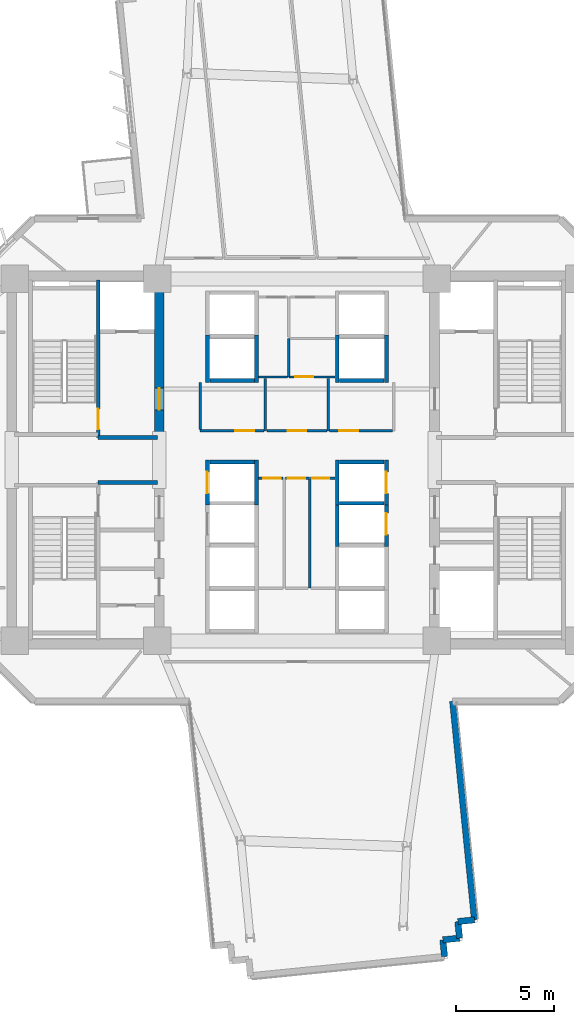
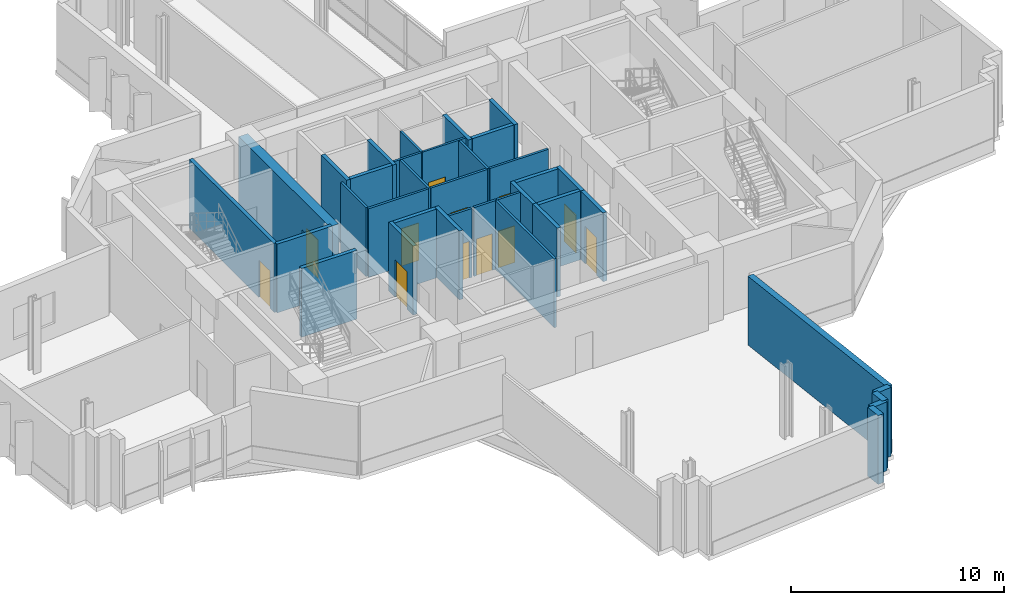
# One storey, part 7 of 14: 37 walls, 12 doors, 12 openings.
"""IFC4 building model written with IfcOpenShell, lengths in metres."""

from ifc_helpers import new_model, si_unit, direction, frame, frame_2d, origin, place, context, subcontext, project, spatial, rectangle, extrude, source, transform, mapped, material, layer, layer_set, type_object, element, fill, save


model = new_model("IFC4")

# Units and contexts
model_context = context("Model", 3, precision=1e-05, world=origin(), true_north=direction((0.0, 1.0)))
body_context = subcontext(model_context, "Body", "Model", "MODEL_VIEW")
ifc_project = project(units=[si_unit("LENGTHUNIT", "METRE"), si_unit("AREAUNIT", "SQUARE_METRE"), si_unit("VOLUMEUNIT", "CUBIC_METRE"), si_unit("PLANEANGLEUNIT", "RADIAN"), si_unit("MASSUNIT", "GRAM", prefix="KILO")], contexts=[model_context])

# Site, building, storey
site_placement = place(None, origin())
site = spatial("IfcSite", under=ifc_project, at=site_placement, CompositionType="ELEMENT")
building_placement = place(site_placement, origin())
building = spatial("IfcBuilding", under=site, at=building_placement, Name="Zahravan Cultural Tower", CompositionType="ELEMENT")
storey_placement = place(building_placement, frame((0.0, 0.0, 92.10009765625)))
storey = spatial("IfcBuildingStorey", under=building, at=storey_placement, Name="L20", CompositionType="ELEMENT", Elevation=92.10009765625)

# Wall, opening, door
ifc_material_1 = material(Name="Concrete C60/75", Category="concrete")
ifc_layer_1 = layer(ifc_material_1, 0.5)
ifc_layer_set_1 = layer_set([ifc_layer_1], Name="Concrete C60/75")
wall_type_1 = type_object("IfcWallType", Name="CW-SHEAR-500-C60", PredefinedType="SHEAR", material=ifc_layer_set_1)
wall_1_placement = place(storey_placement, frame((29.0, 28.050048828125, 0.0), z_axis=(0.0, 0.0, 1.0), x_axis=(0.0, 1.0, 0.0)))
wall_1 = element("IfcWall", 1, at=wall_1_placement, inside=storey, type_object=wall_type_1, Name="L20 Core Shear Wall CW-W-EN-L20", PredefinedType="SHEAR", context=body_context, shape_type="SweptSolid", body=[
    extrude(rectangle(XDim=8.550048828125, YDim=0.5, at=frame_2d((4.27490234375, 0.0))), origin(), (0.0, 0.0, 1.0), 3.949951171875),
])
opening_1_placement = place(wall_1_placement, frame((1.5, 0.0, 0.0)))
opening_1 = element("IfcOpeningElement", 2, at=opening_1_placement, cuts=wall_1, Name="Opening D-L20-05", PredefinedType="OPENING", context=body_context, shape_type="SweptSolid", body=[
    extrude(rectangle(XDim=1.10009765625, YDim=2.199951171875, at=frame_2d((0.550048828125, 1.10009765625))), frame((0.0, 0.260009765625, 0.0), z_axis=(0.0, -1.0, 0.0), x_axis=(1.0, 0.0, 0.0)), (0.0, 0.0, 1.0), 0.52001953125),
])
ifc_material_2 = material(Name="Steel ASTM A572 Grade 50", Category="steel")
door_type_1 = type_object("IfcDoorType", Name="DR-LOBBY-1100", OperationType="NOTDEFINED", PredefinedType="DOOR", material=ifc_material_2)
shared_shape_1 = source(origin(), body_context, "Body", "SweptSolid", [
    extrude(rectangle(XDim=1.10009765625, YDim=2.199951171875, at=frame_2d((0.550048828125, 1.10009765625))), frame((0.0, 0.02490234375, 0.0), z_axis=(0.0, -1.0, 0.0), x_axis=(1.0, 0.0, 0.0)), (0.0, 0.0, 1.0), 0.050048828125),
])
door_1_placement = place(opening_1_placement, origin())
door_1 = element("IfcDoor", 3, at=door_1_placement, inside=storey, type_object=door_type_1, Name="L20 Door D-L20-05", OperationType="SINGLE_SWING_RIGHT", OverallHeight=2.199951171875, OverallWidth=1.10009765625, PredefinedType="DOOR", context=body_context, shape_type="MappedRepresentation", body=[
    mapped(shared_shape_1, transform((0.0, 0.0, 0.0), x_axis=(1.0, 0.0, 0.0), y_axis=(0.0, 1.0, 0.0), z_axis=(0.0, 0.0, 1.0), scale=1.0)),
])
fill(opening_1, door_1)

ifc_material_3 = material(Name="Gypsum plasterboard partition")
ifc_layer_2 = layer(ifc_material_3, 0.125)
ifc_layer_set_2 = layer_set([ifc_layer_2], Name="Gypsum plasterboard partition")
wall_type_2 = type_object("IfcWallType", Name="W-PART-125", PredefinedType="PARTITIONING", material=ifc_layer_set_2)
wall_2_placement = place(storey_placement, frame((35.427490234375, 26.080078125, 0.0), z_axis=(0.0, 0.0, 1.0), x_axis=(1.0, 0.0, 0.0)))
wall_2 = element("IfcWall", 4, at=wall_2_placement, inside=storey, type_object=wall_type_2, Name="L20 Interior Wall 077", PredefinedType="PARTITIONING", context=body_context, shape_type="SweptSolid", body=[
    extrude(rectangle(XDim=1.21240234375, YDim=0.125, at=frame_2d((0.606201171875, 0.0))), origin(), (0.0, 0.0, 1.0), 3.949951171875),
])
opening_2_placement = place(wall_2_placement, frame((0.116455078125, 0.0, 0.0)))
opening_2 = element("IfcOpeningElement", 5, at=opening_2_placement, cuts=wall_2, Name="Opening D-L20-16", PredefinedType="OPENING", context=body_context, shape_type="SweptSolid", body=[
    extrude(rectangle(XDim=0.8798828125, YDim=2.10009765625, at=frame_2d((0.43994140625, 1.050048828125))), frame((0.0, 0.072509765625, 0.0), z_axis=(0.0, -1.0, 0.0), x_axis=(1.0, 0.0, 0.0)), (0.0, 0.0, 1.0), 0.14501953125),
])
ifc_material_4 = material(Name="Anodised bronze-aluminium mullion", Category="aluminium")
door_type_2 = type_object("IfcDoorType", Name="DR-ROOM-880", OperationType="NOTDEFINED", PredefinedType="DOOR", material=ifc_material_4)
shared_shape_2 = source(origin(), body_context, "Body", "SweptSolid", [
    extrude(rectangle(XDim=0.8798828125, YDim=2.10009765625, at=frame_2d((0.43994140625, 1.050048828125))), frame((0.0, 0.02490234375, 0.0), z_axis=(0.0, -1.0, 0.0), x_axis=(1.0, 0.0, 0.0)), (0.0, 0.0, 1.0), 0.050048828125),
])
door_2_placement = place(opening_2_placement, origin())
door_2 = element("IfcDoor", 6, at=door_2_placement, inside=storey, type_object=door_type_2, Name="L20 Door D-L20-16", OperationType="SINGLE_SWING_LEFT", OverallHeight=2.10009765625, OverallWidth=0.8798828125, PredefinedType="DOOR", context=body_context, shape_type="MappedRepresentation", body=[
    mapped(shared_shape_2, transform((0.0, 0.0, 0.0), x_axis=(1.0, 0.0, 0.0), y_axis=(0.0, 1.0, 0.0), z_axis=(0.0, 0.0, 1.0), scale=1.0)),
])
fill(opening_2, door_2)

wall_3_placement = place(storey_placement, frame((34.054931640625, 26.080078125, 0.0), z_axis=(0.0, 0.0, 1.0), x_axis=(1.0, 0.0, 0.0)))
wall_3 = element("IfcWall", 7, at=wall_3_placement, inside=storey, type_object=wall_type_2, Name="L20 Interior Wall 080", PredefinedType="PARTITIONING", context=body_context, shape_type="SweptSolid", body=[
    extrude(rectangle(XDim=1.237548828125, YDim=0.125, at=frame_2d((0.61865234375, 0.0))), origin(), (0.0, 0.0, 1.0), 3.949951171875),
])
opening_3_placement = place(wall_3_placement, frame((0.232421875, 0.0, 0.0)))
opening_3 = element("IfcOpeningElement", 8, at=opening_3_placement, cuts=wall_3, Name="Opening D-L20-15", PredefinedType="OPENING", context=body_context, shape_type="SweptSolid", body=[
    extrude(rectangle(XDim=0.8798828125, YDim=2.10009765625, at=frame_2d((0.43994140625, 1.050048828125))), frame((0.0, 0.072509765625, 0.0), z_axis=(0.0, -1.0, 0.0), x_axis=(1.0, 0.0, 0.0)), (0.0, 0.0, 1.0), 0.14501953125),
])
door_3_placement = place(opening_3_placement, origin())
door_3 = element("IfcDoor", 9, at=door_3_placement, inside=storey, type_object=door_type_2, Name="L20 Door D-L20-15", OperationType="SINGLE_SWING_RIGHT", OverallHeight=2.10009765625, OverallWidth=0.8798828125, PredefinedType="DOOR", context=body_context, shape_type="MappedRepresentation", body=[
    mapped(shared_shape_2, transform((0.0, 0.0, 0.0), x_axis=(1.0, 0.0, 0.0), y_axis=(0.0, 1.0, 0.0), z_axis=(0.0, 0.0, 1.0), scale=1.0)),
])
fill(opening_3, door_3)

wall_4_placement = place(storey_placement, frame((36.679931640625, 26.080078125, 0.0), z_axis=(0.0, 0.0, 1.0), x_axis=(1.0, 0.0, 0.0)))
wall_4 = element("IfcWall", 10, at=wall_4_placement, inside=storey, type_object=wall_type_2, Name="L20 Interior Wall 082", PredefinedType="PARTITIONING", context=body_context, shape_type="SweptSolid", body=[
    extrude(rectangle(XDim=1.26513671875, YDim=0.125, at=frame_2d((0.632568359375, 0.0))), origin(), (0.0, 0.0, 1.0), 3.949951171875),
])
opening_4_placement = place(wall_4_placement, frame((0.09033203125, 0.0, 0.0)))
opening_4 = element("IfcOpeningElement", 11, at=opening_4_placement, cuts=wall_4, Name="Opening D-L20-17", PredefinedType="OPENING", context=body_context, shape_type="SweptSolid", body=[
    extrude(rectangle(XDim=0.8798828125, YDim=2.10009765625, at=frame_2d((0.43994140625, 1.050048828125))), frame((0.0, 0.072509765625, 0.0), z_axis=(0.0, -1.0, 0.0), x_axis=(1.0, 0.0, 0.0)), (0.0, 0.0, 1.0), 0.14501953125),
])
door_4_placement = place(opening_4_placement, origin())
door_4 = element("IfcDoor", 12, at=door_4_placement, inside=storey, type_object=door_type_2, Name="L20 Door D-L20-17", OperationType="SINGLE_SWING_RIGHT", OverallHeight=2.10009765625, OverallWidth=0.8798828125, PredefinedType="DOOR", context=body_context, shape_type="MappedRepresentation", body=[
    mapped(shared_shape_2, transform((0.0, 0.0, 0.0), x_axis=(1.0, 0.0, 0.0), y_axis=(0.0, 1.0, 0.0), z_axis=(0.0, 0.0, 1.0), scale=1.0)),
])
fill(opening_4, door_4)

wall_5_placement = place(storey_placement, frame((37.532470703125, 28.47998046875, 0.0), z_axis=(0.0, 0.0, 1.0), x_axis=(-1.0, 0.0, 0.0)))
wall_5 = element("IfcWall", 13, at=wall_5_placement, inside=storey, type_object=wall_type_2, Name="L20 Interior Wall 086", PredefinedType="PARTITIONING", context=body_context, shape_type="SweptSolid", body=[
    extrude(rectangle(XDim=3.06494140625, YDim=0.125, at=frame_2d((1.532470703125, 0.0))), origin(), (0.0, 0.0, 1.0), 3.949951171875),
])
opening_5_placement = place(wall_5_placement, frame((1.0576171875, 0.0, 0.0)))
opening_5 = element("IfcOpeningElement", 14, at=opening_5_placement, cuts=wall_5, Name="Opening D-L20-19", PredefinedType="OPENING", context=body_context, shape_type="SweptSolid", body=[
    extrude(rectangle(XDim=0.949951171875, YDim=2.14990234375, at=frame_2d((0.47509765625, 1.074951171875))), frame((0.0, 0.072509765625, 0.0), z_axis=(0.0, -1.0, 0.0), x_axis=(1.0, 0.0, 0.0)), (0.0, 0.0, 1.0), 0.14501953125),
])
door_type_3 = type_object("IfcDoorType", Name="DR-ROOM-950", OperationType="NOTDEFINED", PredefinedType="DOOR", material=ifc_material_4)
shared_shape_3 = source(origin(), body_context, "Body", "SweptSolid", [
    extrude(rectangle(XDim=0.949951171875, YDim=2.14990234375, at=frame_2d((0.47509765625, 1.074951171875))), frame((0.0, 0.02490234375, 0.0), z_axis=(0.0, -1.0, 0.0), x_axis=(1.0, 0.0, 0.0)), (0.0, 0.0, 1.0), 0.050048828125),
])
door_5_placement = place(opening_5_placement, origin())
door_5 = element("IfcDoor", 15, at=door_5_placement, inside=storey, type_object=door_type_3, Name="L20 Door D-L20-19", OperationType="SINGLE_SWING_RIGHT", OverallHeight=2.14990234375, OverallWidth=0.949951171875, PredefinedType="DOOR", context=body_context, shape_type="MappedRepresentation", body=[
    mapped(shared_shape_3, transform((0.0, 0.0, 0.0), x_axis=(1.0, 0.0, 0.0), y_axis=(0.0, 1.0, 0.0), z_axis=(0.0, 0.0, 1.0), scale=1.0)),
])
fill(opening_5, door_5)

wall_6_placement = place(storey_placement, frame((34.33251953125, 28.47998046875, 0.0), z_axis=(0.0, 0.0, 1.0), x_axis=(-1.0, 0.0, 0.0)))
wall_6 = element("IfcWall", 16, at=wall_6_placement, inside=storey, type_object=wall_type_2, Name="L20 Interior Wall 087", PredefinedType="PARTITIONING", context=body_context, shape_type="SweptSolid", body=[
    extrude(rectangle(XDim=3.25244140625, YDim=0.125, at=frame_2d((1.626220703125, 0.0))), origin(), (0.0, 0.0, 1.0), 3.949951171875),
])
opening_6_placement = place(wall_6_placement, frame((0.506591796875, 0.0, 0.0)))
opening_6 = element("IfcOpeningElement", 17, at=opening_6_placement, cuts=wall_6, Name="Opening D-L20-18", PredefinedType="OPENING", context=body_context, shape_type="SweptSolid", body=[
    extrude(rectangle(XDim=0.949951171875, YDim=2.14990234375, at=frame_2d((0.47509765625, 1.074951171875))), frame((0.0, 0.072509765625, 0.0), z_axis=(0.0, -1.0, 0.0), x_axis=(1.0, 0.0, 0.0)), (0.0, 0.0, 1.0), 0.14501953125),
])
door_6_placement = place(opening_6_placement, origin())
door_6 = element("IfcDoor", 18, at=door_6_placement, inside=storey, type_object=door_type_3, Name="L20 Door D-L20-18", OperationType="SINGLE_SWING_LEFT", OverallHeight=2.14990234375, OverallWidth=0.949951171875, PredefinedType="DOOR", context=body_context, shape_type="MappedRepresentation", body=[
    mapped(shared_shape_3, transform((0.0, 0.0, 0.0), x_axis=(1.0, 0.0, 0.0), y_axis=(0.0, 1.0, 0.0), z_axis=(0.0, 0.0, 1.0), scale=1.0)),
])
fill(opening_6, door_6)

wall_7_placement = place(storey_placement, frame((40.8525390625, 28.47998046875, 0.0), z_axis=(0.0, 0.0, 1.0), x_axis=(-1.0, 0.0, 0.0)))
wall_7 = element("IfcWall", 19, at=wall_7_placement, inside=storey, type_object=wall_type_2, Name="L20 Interior Wall 090", PredefinedType="PARTITIONING", context=body_context, shape_type="SweptSolid", body=[
    extrude(rectangle(XDim=3.18505859375, YDim=0.125, at=frame_2d((1.592529296875, 0.0))), origin(), (0.0, 0.0, 1.0), 3.949951171875),
])
opening_7_placement = place(wall_7_placement, frame((1.743408203125, 0.0, 0.0)))
opening_7 = element("IfcOpeningElement", 20, at=opening_7_placement, cuts=wall_7, Name="Opening D-L20-20", PredefinedType="OPENING", context=body_context, shape_type="SweptSolid", body=[
    extrude(rectangle(XDim=0.949951171875, YDim=2.14990234375, at=frame_2d((0.47509765625, 1.074951171875))), frame((0.0, 0.072509765625, 0.0), z_axis=(0.0, -1.0, 0.0), x_axis=(1.0, 0.0, 0.0)), (0.0, 0.0, 1.0), 0.14501953125),
])
door_7_placement = place(opening_7_placement, origin())
door_7 = element("IfcDoor", 21, at=door_7_placement, inside=storey, type_object=door_type_3, Name="L20 Door D-L20-20", OperationType="SINGLE_SWING_LEFT", OverallHeight=2.14990234375, OverallWidth=0.949951171875, PredefinedType="DOOR", context=body_context, shape_type="MappedRepresentation", body=[
    mapped(shared_shape_3, transform((0.0, 0.0, 0.0), x_axis=(1.0, 0.0, 0.0), y_axis=(0.0, 1.0, 0.0), z_axis=(0.0, 0.0, 1.0), scale=1.0)),
])
fill(opening_7, door_7)

ifc_material_5 = material(Name="Concrete C45/55", Category="concrete")
ifc_layer_3 = layer(ifc_material_5, 0.199951171875)
ifc_layer_set_3 = layer_set([ifc_layer_3], Name="Concrete C45/55")
wall_type_3 = type_object("IfcWallType", Name="W-SHAFT-200", PredefinedType="SOLIDWALL", material=ifc_layer_set_3)
wall_8_placement = place(storey_placement, frame((25.89990234375, 28.14990234375, 0.0), z_axis=(0.0, 0.0, 1.0), x_axis=(0.0, 1.0, 0.0)))
wall_8 = element("IfcWall", 22, at=wall_8_placement, inside=storey, type_object=wall_type_3, Name="L20 Interior Wall 006", PredefinedType="SOLIDWALL", context=body_context, shape_type="SweptSolid", body=[
    extrude(rectangle(XDim=8.0, YDim=0.199951171875, at=frame_2d((4.0, 0.0))), origin(), (0.0, 0.0, 1.0), 3.949951171875),
])
opening_8_placement = place(wall_8_placement, frame((0.39990234375, 0.0, 0.0)))
opening_8 = element("IfcOpeningElement", 23, at=opening_8_placement, cuts=wall_8, Name="Opening D-L20-01", PredefinedType="OPENING", context=body_context, shape_type="SweptSolid", body=[
    extrude(rectangle(XDim=1.050048828125, YDim=2.14990234375, at=frame_2d((0.52490234375, 1.074951171875))), frame((0.0, 0.10986328125, 0.0), z_axis=(0.0, -1.0, 0.0), x_axis=(1.0, 0.0, 0.0)), (0.0, 0.0, 1.0), 0.219970703125),
])
door_type_4 = type_object("IfcDoorType", Name="DR-STAIR-1050", OperationType="NOTDEFINED", PredefinedType="DOOR", material=ifc_material_2)
shared_shape_4 = source(origin(), body_context, "Body", "SweptSolid", [
    extrude(rectangle(XDim=1.050048828125, YDim=2.14990234375, at=frame_2d((0.52490234375, 1.074951171875))), frame((0.0, 0.02490234375, 0.0), z_axis=(0.0, -1.0, 0.0), x_axis=(1.0, 0.0, 0.0)), (0.0, 0.0, 1.0), 0.050048828125),
])
door_8_placement = place(opening_8_placement, origin())
door_8 = element("IfcDoor", 24, at=door_8_placement, inside=storey, type_object=door_type_4, Name="L20 Door D-L20-01", OperationType="SINGLE_SWING_RIGHT", OverallHeight=2.14990234375, OverallWidth=1.050048828125, PredefinedType="DOOR", context=body_context, shape_type="MappedRepresentation", body=[
    mapped(shared_shape_4, transform((0.0, 0.0, 0.0), x_axis=(1.0, 0.0, 0.0), y_axis=(0.0, 1.0, 0.0), z_axis=(0.0, 0.0, 1.0), scale=1.0)),
])
fill(opening_8, door_8)

wall_9_placement = place(storey_placement, frame((31.449951171875, 24.699951171875, 0.0), z_axis=(0.0, 0.0, 1.0), x_axis=(0.0, 1.0, 0.0)))
wall_9 = element("IfcWall", 25, at=wall_9_placement, inside=storey, type_object=wall_type_3, Name="L20 Interior Wall 057", PredefinedType="SOLIDWALL", context=body_context, shape_type="SweptSolid", body=[
    extrude(rectangle(XDim=2.300048828125, YDim=0.199951171875, at=frame_2d((1.14990234375, 0.0))), origin(), (0.0, 0.0, 1.0), 3.949951171875),
])
opening_9_placement = place(wall_9_placement, frame((0.60009765625, 0.0, 0.0)))
opening_9 = element("IfcOpeningElement", 26, at=opening_9_placement, cuts=wall_9, Name="Opening LD-L20-04", PredefinedType="OPENING", context=body_context, shape_type="SweptSolid", body=[
    extrude(rectangle(XDim=1.10009765625, YDim=2.14990234375, at=frame_2d((0.550048828125, 1.074951171875))), frame((0.0, 0.10986328125, 0.0), z_axis=(0.0, -1.0, 0.0), x_axis=(1.0, 0.0, 0.0)), (0.0, 0.0, 1.0), 0.219970703125),
])
door_type_5 = type_object("IfcDoorType", Name="DR-LIFT-1100", OperationType="DOUBLE_DOOR_SLIDING", PredefinedType="DOOR", material=ifc_material_2)
shared_shape_5 = source(origin(), body_context, "Body", "SweptSolid", [
    extrude(rectangle(XDim=1.10009765625, YDim=2.14990234375, at=frame_2d((0.550048828125, 1.074951171875))), frame((0.0, 0.02490234375, 0.0), z_axis=(0.0, -1.0, 0.0), x_axis=(1.0, 0.0, 0.0)), (0.0, 0.0, 1.0), 0.050048828125),
])
door_9_placement = place(opening_9_placement, origin())
door_9 = element("IfcDoor", 27, at=door_9_placement, inside=storey, type_object=door_type_5, Name="L20 Door LD-L20-04", OperationType="DOUBLE_DOOR_SLIDING", OverallHeight=2.14990234375, OverallWidth=1.10009765625, PredefinedType="DOOR", context=body_context, shape_type="MappedRepresentation", body=[
    mapped(shared_shape_5, transform((0.0, 0.0, 0.0), x_axis=(1.0, 0.0, 0.0), y_axis=(0.0, 1.0, 0.0), z_axis=(0.0, 0.0, 1.0), scale=1.0)),
])
fill(opening_9, door_9)

wall_10_placement = place(storey_placement, frame((40.550048828125, 24.699951171875, 0.0), z_axis=(0.0, 0.0, 1.0), x_axis=(0.0, 1.0, 0.0)))
wall_10 = element("IfcWall", 28, at=wall_10_placement, inside=storey, type_object=wall_type_3, Name="L20 Interior Wall 064", PredefinedType="SOLIDWALL", context=body_context, shape_type="SweptSolid", body=[
    extrude(rectangle(XDim=2.300048828125, YDim=0.199951171875, at=frame_2d((1.14990234375, 0.0))), origin(), (0.0, 0.0, 1.0), 3.949951171875),
])
opening_10_placement = place(wall_10_placement, frame((0.60009765625, 0.0, 0.0)))
opening_10 = element("IfcOpeningElement", 29, at=opening_10_placement, cuts=wall_10, Name="Opening LD-L20-06", PredefinedType="OPENING", context=body_context, shape_type="SweptSolid", body=[
    extrude(rectangle(XDim=1.10009765625, YDim=2.14990234375, at=frame_2d((0.550048828125, 1.074951171875))), frame((0.0, 0.10986328125, 0.0), z_axis=(0.0, -1.0, 0.0), x_axis=(1.0, 0.0, 0.0)), (0.0, 0.0, 1.0), 0.219970703125),
])
door_10_placement = place(opening_10_placement, origin())
door_10 = element("IfcDoor", 30, at=door_10_placement, inside=storey, type_object=door_type_5, Name="L20 Door LD-L20-06", OperationType="DOUBLE_DOOR_SLIDING", OverallHeight=2.14990234375, OverallWidth=1.10009765625, PredefinedType="DOOR", context=body_context, shape_type="MappedRepresentation", body=[
    mapped(shared_shape_5, transform((0.0, 0.0, 0.0), x_axis=(1.0, 0.0, 0.0), y_axis=(0.0, 1.0, 0.0), z_axis=(0.0, 0.0, 1.0), scale=1.0)),
])
fill(opening_10, door_10)

wall_11_placement = place(storey_placement, frame((40.550048828125, 22.60009765625, 0.0), z_axis=(0.0, 0.0, 1.0), x_axis=(0.0, 1.0, 0.0)))
wall_11 = element("IfcWall", 31, at=wall_11_placement, inside=storey, type_object=wall_type_3, Name="L20 Interior Wall 068", PredefinedType="SOLIDWALL", context=body_context, shape_type="SweptSolid", body=[
    extrude(rectangle(XDim=2.2998046875, YDim=0.199951171875, at=frame_2d((1.14990234375, 0.0))), origin(), (0.0, 0.0, 1.0), 3.949951171875),
])
opening_11_placement = place(wall_11_placement, frame((0.60009765625, 0.0, 0.0)))
opening_11 = element("IfcOpeningElement", 32, at=opening_11_placement, cuts=wall_11, Name="Opening LD-L20-07", PredefinedType="OPENING", context=body_context, shape_type="SweptSolid", body=[
    extrude(rectangle(XDim=1.10009765625, YDim=2.14990234375, at=frame_2d((0.550048828125, 1.074951171875))), frame((0.0, 0.10986328125, 0.0), z_axis=(0.0, -1.0, 0.0), x_axis=(1.0, 0.0, 0.0)), (0.0, 0.0, 1.0), 0.219970703125),
])
door_11_placement = place(opening_11_placement, origin())
door_11 = element("IfcDoor", 33, at=door_11_placement, inside=storey, type_object=door_type_5, Name="L20 Door LD-L20-07", OperationType="DOUBLE_DOOR_SLIDING", OverallHeight=2.14990234375, OverallWidth=1.10009765625, PredefinedType="DOOR", context=body_context, shape_type="MappedRepresentation", body=[
    mapped(shared_shape_5, transform((0.0, 0.0, 0.0), x_axis=(1.0, 0.0, 0.0), y_axis=(0.0, 1.0, 0.0), z_axis=(0.0, 0.0, 1.0), scale=1.0)),
])
fill(opening_11, door_11)

ifc_layer_4 = layer(ifc_material_3, 0.114990234375)
ifc_layer_set_4 = layer_set([ifc_layer_4], Name="Gypsum plasterboard partition")
wall_type_4 = type_object("IfcWallType", Name="W-WC-115", PredefinedType="PARTITIONING", material=ifc_layer_set_4)
wall_12_placement = place(storey_placement, frame((37.945068359375, 31.219970703125, 0.0), z_axis=(0.0, 0.0, 1.0), x_axis=(-1.0, 0.0, 0.0)))
wall_12 = element("IfcWall", 34, at=wall_12_placement, inside=storey, type_object=wall_type_4, Name="L20 Interior Wall 069", PredefinedType="PARTITIONING", context=body_context, shape_type="SweptSolid", body=[
    extrude(rectangle(XDim=2.35498046875, YDim=0.114990234375, at=frame_2d((1.177490234375, 0.0))), origin(), (0.0, 0.0, 1.0), 3.949951171875),
])
opening_12_placement = place(wall_12_placement, frame((1.120849609375, 0.0, 0.0)))
opening_12 = element("IfcOpeningElement", 35, at=opening_12_placement, cuts=wall_12, Name="Opening D-L20-30", PredefinedType="OPENING", context=body_context, shape_type="SweptSolid", body=[
    extrude(rectangle(XDim=0.89990234375, YDim=2.10009765625, at=frame_2d((0.449951171875, 1.050048828125))), frame((0.0, 0.0673828125, 0.0), z_axis=(0.0, -1.0, 0.0), x_axis=(1.0, 0.0, 0.0)), (0.0, 0.0, 1.0), 0.135009765625),
])
door_type_6 = type_object("IfcDoorType", Name="DR-WC-900", OperationType="NOTDEFINED", PredefinedType="DOOR", material=ifc_material_4)
shared_shape_6 = source(origin(), body_context, "Body", "SweptSolid", [
    extrude(rectangle(XDim=0.89990234375, YDim=2.10009765625, at=frame_2d((0.449951171875, 1.050048828125))), frame((0.0, 0.02490234375, 0.0), z_axis=(0.0, -1.0, 0.0), x_axis=(1.0, 0.0, 0.0)), (0.0, 0.0, 1.0), 0.050048828125),
])
door_12_placement = place(opening_12_placement, origin())
door_12 = element("IfcDoor", 36, at=door_12_placement, inside=storey, type_object=door_type_6, Name="L20 Door D-L20-30", OperationType="SINGLE_SWING_LEFT", OverallHeight=2.10009765625, OverallWidth=0.89990234375, PredefinedType="DOOR", context=body_context, shape_type="MappedRepresentation", body=[
    mapped(shared_shape_6, transform((0.0, 0.0, 0.0), x_axis=(1.0, 0.0, 0.0), y_axis=(0.0, 1.0, 0.0), z_axis=(0.0, 0.0, 1.0), scale=1.0)),
])
fill(opening_12, door_12)

# Walls
ifc_material_6 = material(Name="Precast concrete C40/50", Category="concrete")
ifc_layer_5 = layer(ifc_material_6, 0.320068359375)
ifc_layer_set_5 = layer_set([ifc_layer_5], Name="Precast concrete C40/50")
wall_type_5 = type_object("IfcWallType", Name="EW-TC-320", PredefinedType="SOLIDWALL", material=ifc_layer_set_5)
shared_shape_7 = source(origin(), body_context, "Body", "SweptSolid", [
    extrude(rectangle(XDim=0.849853515625, YDim=0.320068359375, at=frame_2d((0.4248046875, 0.0))), origin(), (0.0, 0.0, 1.0), 3.949951171875),
])
for number, where, z_axis, x_axis, name in (
    (37, (45.026611328125, 3.620849609375, 0.0), (0.0, 0.0, 1.0), (-0.995076929088, -0.099105525559, 0.0), "L20 Exterior Masonry Frame Wall 42"),
    (38, (43.41943359375, 2.606201171875, 0.0), (0.0, 0.0, 1.0), (0.09938995433, -0.995048560111, 0.0), "L20 Exterior Masonry Frame Wall 45"),
):
    element("IfcWall", number, at=place(storey_placement, frame(where, z_axis=z_axis, x_axis=x_axis)), inside=storey, type_object=wall_type_5, Name=name, PredefinedType="SOLIDWALL", context=body_context, shape_type="MappedRepresentation", body=[
        mapped(shared_shape_7, transform((0.0, 0.0, 0.0), x_axis=(1.0, 0.0, 0.0), y_axis=(0.0, 1.0, 0.0), z_axis=(0.0, 0.0, 1.0), scale=1.0)),
    ])
shared_shape_8 = source(origin(), body_context, "Body", "SweptSolid", [
    extrude(rectangle(XDim=0.85009765625, YDim=0.320068359375, at=frame_2d((0.425048828125, 0.0))), origin(), (0.0, 0.0, 1.0), 3.949951171875),
])
for number, where, z_axis, x_axis, name in (
    (39, (44.180908203125, 3.53662109375, 0.0), (0.0, 0.0, 1.0), (0.099361553589, -0.995051396496, 0.0), "L20 Exterior Masonry Frame Wall 43"),
    (40, (44.265380859375, 2.690673828125, 0.0), (0.0, 0.0, 1.0), (-0.995051396496, -0.099361553589, 0.0), "L20 Exterior Masonry Frame Wall 44"),
):
    element("IfcWall", number, at=place(storey_placement, frame(where, z_axis=z_axis, x_axis=x_axis)), inside=storey, type_object=wall_type_5, Name=name, PredefinedType="SOLIDWALL", context=body_context, shape_type="MappedRepresentation", body=[
        mapped(shared_shape_8, transform((0.0, 0.0, 0.0), x_axis=(1.0, 0.0, 0.0), y_axis=(0.0, 1.0, 0.0), z_axis=(0.0, 0.0, 1.0), scale=1.0)),
    ])
shared_shape_9 = source(origin(), body_context, "Body", "SweptSolid", [
    extrude(rectangle(XDim=11.17431640625, YDim=0.320068359375, at=frame_2d((5.587158203125, 0.0))), origin(), (0.0, 0.0, 1.0), 3.949951171875),
])
wall_13_placement = place(storey_placement, frame((43.916748046875, 14.739990234375, 0.0), z_axis=(0.0, 0.0, 1.0), x_axis=(0.099322009391, -0.995055344416, 0.0)))
element("IfcWall", 41, at=wall_13_placement, inside=storey, type_object=wall_type_5, Name="L20 Exterior Masonry Frame Wall 41", PredefinedType="SOLIDWALL", context=body_context, shape_type="MappedRepresentation", body=[
    mapped(shared_shape_9, transform((0.0, 0.0, 0.0), x_axis=(1.0, 0.0, 0.0), y_axis=(0.0, 1.0, 0.0), z_axis=(0.0, 0.0, 1.0), scale=1.0)),
])
shared_shape_10 = source(origin(), body_context, "Body", "SweptSolid", [
    extrude(rectangle(XDim=3.0, YDim=0.199951171875, at=frame_2d((1.5, 0.0))), origin(), (0.0, 0.0, 1.0), 3.949951171875),
])
for number, where, z_axis, x_axis, name in (
    (42, (25.89990234375, 25.85009765625, 0.0), (0.0, 0.0, 1.0), (1.0, 0.0, 0.0), "L20 Interior Wall 010"),
    (43, (25.89990234375, 28.14990234375, 0.0), (0.0, 0.0, 1.0), (1.0, 0.0, 0.0), "L20 Interior Wall 012"),
):
    element("IfcWall", number, at=place(storey_placement, frame(where, z_axis=z_axis, x_axis=x_axis)), inside=storey, type_object=wall_type_3, Name=name, PredefinedType="SOLIDWALL", context=body_context, shape_type="MappedRepresentation", body=[
        mapped(shared_shape_10, transform((0.0, 0.0, 0.0), x_axis=(1.0, 0.0, 0.0), y_axis=(0.0, 1.0, 0.0), z_axis=(0.0, 0.0, 1.0), scale=1.0)),
    ])
shared_shape_11 = source(origin(), body_context, "Body", "SweptSolid", [
    extrude(rectangle(XDim=2.400146484375, YDim=0.199951171875, at=frame_2d((1.2001953125, 0.0))), origin(), (0.0, 0.0, 1.0), 3.949951171875),
])
for number, where, z_axis, x_axis, name in (
    (44, (31.449951171875, 30.949951171875, 0.0), (0.0, 0.0, 1.0), (0.0, 1.0, 0.0), "L20 Interior Wall 033"),
    (45, (33.949951171875, 30.949951171875, 0.0), (0.0, 0.0, 1.0), (0.0, 1.0, 0.0), "L20 Interior Wall 034"),
    (46, (38.050048828125, 30.949951171875, 0.0), (0.0, 0.0, 1.0), (0.0, 1.0, 0.0), "L20 Interior Wall 040"),
    (47, (40.550048828125, 30.949951171875, 0.0), (0.0, 0.0, 1.0), (0.0, 1.0, 0.0), "L20 Interior Wall 041"),
):
    element("IfcWall", number, at=place(storey_placement, frame(where, z_axis=z_axis, x_axis=x_axis)), inside=storey, type_object=wall_type_3, Name=name, PredefinedType="SOLIDWALL", context=body_context, shape_type="MappedRepresentation", body=[
        mapped(shared_shape_11, transform((0.0, 0.0, 0.0), x_axis=(1.0, 0.0, 0.0), y_axis=(0.0, 1.0, 0.0), z_axis=(0.0, 0.0, 1.0), scale=1.0)),
    ])
shared_shape_12 = source(origin(), body_context, "Body", "SweptSolid", [
    extrude(rectangle(XDim=2.260009765625, YDim=0.199951171875, at=frame_2d((1.1298828125, 0.0))), origin(), (0.0, 0.0, 1.0), 3.949951171875),
])
for number, where, z_axis, x_axis, name in (
    (48, (31.570068359375, 31.050048828125, 0.0), (0.0, 0.0, 1.0), (1.0, 0.0, 0.0), "L20 Interior Wall 035"),
    (49, (38.169921875, 31.050048828125, 0.0), (0.0, 0.0, 1.0), (1.0, 0.0, 0.0), "L20 Interior Wall 042"),
    (50, (31.570068359375, 26.89990234375, 0.0), (0.0, 0.0, 1.0), (1.0, 0.0, 0.0), "L20 Interior Wall 060"),
    (51, (38.169921875, 24.800048828125, 0.0), (0.0, 0.0, 1.0), (1.0, 0.0, 0.0), "L20 Interior Wall 065"),
    (52, (38.169921875, 26.89990234375, 0.0), (0.0, 0.0, 1.0), (1.0, 0.0, 0.0), "L20 Interior Wall 066"),
):
    element("IfcWall", number, at=place(storey_placement, frame(where, z_axis=z_axis, x_axis=x_axis)), inside=storey, type_object=wall_type_3, Name=name, PredefinedType="SOLIDWALL", context=body_context, shape_type="MappedRepresentation", body=[
        mapped(shared_shape_12, transform((0.0, 0.0, 0.0), x_axis=(1.0, 0.0, 0.0), y_axis=(0.0, 1.0, 0.0), z_axis=(0.0, 0.0, 1.0), scale=1.0)),
    ])
shared_shape_13 = source(origin(), body_context, "Body", "SweptSolid", [
    extrude(rectangle(XDim=2.300048828125, YDim=0.199951171875, at=frame_2d((1.14990234375, 0.0))), origin(), (0.0, 0.0, 1.0), 3.949951171875),
])
for number, where, z_axis, x_axis, name in (
    (53, (33.949951171875, 24.699951171875, 0.0), (0.0, 0.0, 1.0), (0.0, 1.0, 0.0), "L20 Interior Wall 058"),
    (54, (38.050048828125, 24.699951171875, 0.0), (0.0, 0.0, 1.0), (0.0, 1.0, 0.0), "L20 Interior Wall 063"),
):
    element("IfcWall", number, at=place(storey_placement, frame(where, z_axis=z_axis, x_axis=x_axis)), inside=storey, type_object=wall_type_3, Name=name, PredefinedType="SOLIDWALL", context=body_context, shape_type="MappedRepresentation", body=[
        mapped(shared_shape_13, transform((0.0, 0.0, 0.0), x_axis=(1.0, 0.0, 0.0), y_axis=(0.0, 1.0, 0.0), z_axis=(0.0, 0.0, 1.0), scale=1.0)),
    ])
shared_shape_14 = source(origin(), body_context, "Body", "SweptSolid", [
    extrude(rectangle(XDim=2.2998046875, YDim=0.199951171875, at=frame_2d((1.14990234375, 0.0))), origin(), (0.0, 0.0, 1.0), 3.949951171875),
])
wall_14_placement = place(storey_placement, frame((38.050048828125, 22.60009765625, 0.0), z_axis=(0.0, 0.0, 1.0), x_axis=(0.0, 1.0, 0.0)))
element("IfcWall", 55, at=wall_14_placement, inside=storey, type_object=wall_type_3, Name="L20 Interior Wall 067", PredefinedType="SOLIDWALL", context=body_context, shape_type="MappedRepresentation", body=[
    mapped(shared_shape_14, transform((0.0, 0.0, 0.0), x_axis=(1.0, 0.0, 0.0), y_axis=(0.0, 1.0, 0.0), z_axis=(0.0, 0.0, 1.0), scale=1.0)),
])
shared_shape_15 = source(origin(), body_context, "Body", "SweptSolid", [
    extrude(rectangle(XDim=1.9599609375, YDim=0.114990234375, at=frame_2d((0.97998046875, 0.0))), origin(), (0.0, 0.0, 1.0), 3.949951171875),
])
wall_15_placement = place(storey_placement, frame((35.590087890625, 31.219970703125, 0.0), z_axis=(0.0, 0.0, 1.0), x_axis=(0.0, 1.0, 0.0)))
element("IfcWall", 56, at=wall_15_placement, inside=storey, type_object=wall_type_4, Name="L20 Interior Wall 070", PredefinedType="PARTITIONING", context=body_context, shape_type="MappedRepresentation", body=[
    mapped(shared_shape_15, transform((0.0, 0.0, 0.0), x_axis=(1.0, 0.0, 0.0), y_axis=(0.0, 1.0, 0.0), z_axis=(0.0, 0.0, 1.0), scale=1.0)),
])
shared_shape_16 = source(origin(), body_context, "Body", "SweptSolid", [
    extrude(rectangle(XDim=1.47265625, YDim=0.114990234375, at=frame_2d((0.736328125, 0.0))), origin(), (0.0, 0.0, 1.0), 3.949951171875),
])
wall_16_placement = place(storey_placement, frame((35.527587890625, 31.219970703125, 0.0), z_axis=(0.0, 0.0, 1.0), x_axis=(-1.0, 0.0, 0.0)))
element("IfcWall", 57, at=wall_16_placement, inside=storey, type_object=wall_type_4, Name="L20 Interior Wall 074", PredefinedType="PARTITIONING", context=body_context, shape_type="MappedRepresentation", body=[
    mapped(shared_shape_16, transform((0.0, 0.0, 0.0), x_axis=(1.0, 0.0, 0.0), y_axis=(0.0, 1.0, 0.0), z_axis=(0.0, 0.0, 1.0), scale=1.0)),
])
shared_shape_17 = source(origin(), body_context, "Body", "SweptSolid", [
    extrude(rectangle(XDim=5.5224609375, YDim=0.125, at=frame_2d((2.76123046875, 0.0))), origin(), (0.0, 0.0, 1.0), 3.949951171875),
])
wall_17_placement = place(storey_placement, frame((36.639892578125, 26.012451171875, 0.0), z_axis=(0.0, 0.0, 1.0), x_axis=(0.0, -1.0, 0.0)))
element("IfcWall", 58, at=wall_17_placement, inside=storey, type_object=wall_type_2, Name="L20 Interior Wall 078", PredefinedType="PARTITIONING", context=body_context, shape_type="MappedRepresentation", body=[
    mapped(shared_shape_17, transform((0.0, 0.0, 0.0), x_axis=(1.0, 0.0, 0.0), y_axis=(0.0, 1.0, 0.0), z_axis=(0.0, 0.0, 1.0), scale=1.0)),
])
shared_shape_18 = source(origin(), body_context, "Body", "SweptSolid", [
    extrude(rectangle(XDim=2.659912109375, YDim=0.125, at=frame_2d((1.330078125, 0.0))), origin(), (0.0, 0.0, 1.0), 3.949951171875),
])
for number, where, z_axis, x_axis, name in (
    (59, (34.39990234375, 28.47998046875, 0.0), (0.0, 0.0, 1.0), (0.0, 1.0, 0.0), "L20 Interior Wall 084"),
    (60, (37.60009765625, 31.139892578125, 0.0), (0.0, 0.0, 1.0), (0.0, -1.0, 0.0), "L20 Interior Wall 085"),
):
    element("IfcWall", number, at=place(storey_placement, frame(where, z_axis=z_axis, x_axis=x_axis)), inside=storey, type_object=wall_type_2, Name=name, PredefinedType="PARTITIONING", context=body_context, shape_type="MappedRepresentation", body=[
        mapped(shared_shape_18, transform((0.0, 0.0, 0.0), x_axis=(1.0, 0.0, 0.0), y_axis=(0.0, 1.0, 0.0), z_axis=(0.0, 0.0, 1.0), scale=1.0)),
    ])
shared_shape_19 = source(origin(), body_context, "Body", "SweptSolid", [
    extrude(rectangle(XDim=2.40234375, YDim=0.125, at=frame_2d((1.201171875, 0.0))), origin(), (0.0, 0.0, 1.0), 3.949951171875),
])
wall_18_placement = place(storey_placement, frame((31.080078125, 28.547607421875, 0.0), z_axis=(0.0, 0.0, 1.0), x_axis=(0.0, 1.0, 0.0)))
element("IfcWall", 61, at=wall_18_placement, inside=storey, type_object=wall_type_2, Name="L20 Interior Wall 088", PredefinedType="PARTITIONING", context=body_context, shape_type="MappedRepresentation", body=[
    mapped(shared_shape_19, transform((0.0, 0.0, 0.0), x_axis=(1.0, 0.0, 0.0), y_axis=(0.0, 1.0, 0.0), z_axis=(0.0, 0.0, 1.0), scale=1.0)),
])

save(model, "model.ifc")
